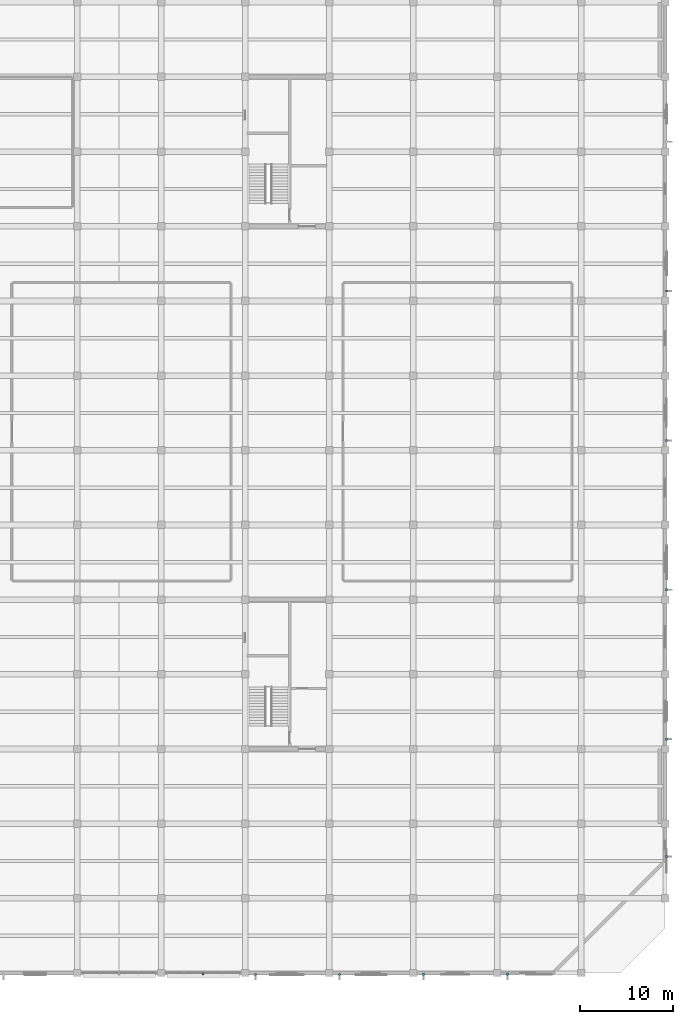
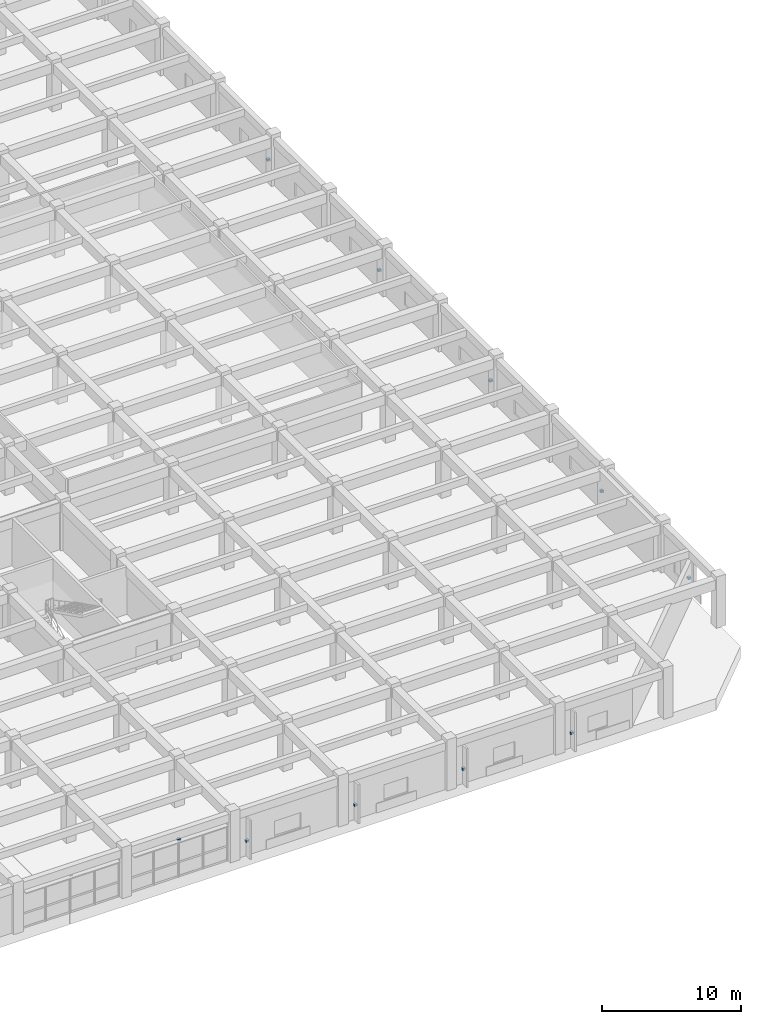
# One storey, part 40 of 50: 10 discrete accessories.
"""IFC4 building model written with IfcOpenShell, lengths in metres."""

from ifc_helpers import new_model, si_unit, direction, frame, origin, origin_2d, place, context, subcontext, project, spatial, rectangle, extrude, material, layer, layer_set, type_object, element, save


model = new_model("IFC4")

# Units and contexts
model_context = context("Model", 3, precision=1e-05, world=origin(), true_north=direction((0.0, 1.0)))
body_context = subcontext(model_context, "Body", "Model", "MODEL_VIEW")
ifc_project = project(units=[si_unit("LENGTHUNIT", "METRE"), si_unit("AREAUNIT", "SQUARE_METRE"), si_unit("VOLUMEUNIT", "CUBIC_METRE"), si_unit("PLANEANGLEUNIT", "RADIAN"), si_unit("MASSUNIT", "GRAM", prefix="KILO")], contexts=[model_context])

# Site, building, storey
site_placement = place(None, origin())
site = spatial("IfcSite", under=ifc_project, at=site_placement, CompositionType="ELEMENT")
building_placement = place(site_placement, origin())
building = spatial("IfcBuilding", under=site, at=building_placement, Name="Zaverband Oceanarium and Marine Research Institute", CompositionType="ELEMENT")
storey_placement = place(building_placement, frame((0.0, 0.0, 4.5)))
storey = spatial("IfcBuildingStorey", under=building, at=storey_placement, Name="L01", CompositionType="ELEMENT", Elevation=4.5)

# Discrete accessories
ifc_material = material(Name="Steel S355", Category="steel")
ifc_layer = layer(ifc_material, 0.179931640625, Name="Steel S355")
ifc_layer_set = layer_set([ifc_layer], Name="Steel S355")
discrete_accessory_type = type_object("IfcDiscreteAccessoryType", Name="BRK-STL-200", PredefinedType="BRACKET", material=ifc_layer_set)
for number, where, z_axis, x_axis, name in (
    (1, (130.5, -0.080078125, 3.22998046875), (0.0, 0.0, 1.0), (1.0, 0.0, 0.0), "Galvanized steel facade fin structural bracket BRK-STL-200"),
    (2, (136.10498046875, -0.169921875, 1.22021484375), (0.0, 0.0, 1.0), (1.0, 0.0, 0.0), "Galvanized steel facade fin structural bracket BRK-STL-200"),
    (3, (145.10498046875, -0.155029296875, 1.22021484375), (0.0, 0.0, 1.0), (1.0, 0.0, 0.0), "Galvanized steel facade fin structural bracket BRK-STL-200"),
    (4, (154.10498046875, -0.14501953125, 1.22021484375), (0.0, 0.0, 1.0), (1.0, 0.0, 0.0), "Galvanized steel facade fin structural bracket BRK-STL-200"),
    (5, (163.10498046875, -0.132568359375, 1.22021484375), (0.0, 0.0, 1.0), (1.0, 0.0, 0.0), "Galvanized steel facade fin structural bracket BRK-STL-200"),
    (6, (180.132568359375, 12.469970703125, 1.22021484375), (0.0, 0.0, 1.0), (1.0, 0.0, 0.0), "Galvanized steel facade fin structural bracket BRK-STL-200"),
    (7, (180.14501953125, 25.054931640625, 1.22021484375), (0.0, 0.0, 1.0), (1.0, 0.0, 0.0), "Galvanized steel facade fin structural bracket BRK-STL-200"),
    (8, (180.155029296875, 41.054931640625, 1.22021484375), (0.0, 0.0, 1.0), (1.0, 0.0, 0.0), "Galvanized steel facade fin structural bracket BRK-STL-200"),
    (9, (180.132568359375, 57.054931640625, 1.22021484375), (0.0, 0.0, 1.0), (1.0, 0.0, 0.0), "Galvanized steel facade fin structural bracket BRK-STL-200"),
    (10, (180.14501953125, 73.054931640625, 1.22021484375), (0.0, 0.0, 1.0), (1.0, 0.0, 0.0), "Galvanized steel facade fin structural bracket BRK-STL-200"),
):
    element("IfcDiscreteAccessory", number, at=place(storey_placement, frame(where, z_axis=z_axis, x_axis=x_axis)), inside=storey, type_object=discrete_accessory_type, Name=name, PredefinedType="BRACKET", context=body_context, shape_type="SweptSolid", body=[
        extrude(rectangle(XDim=0.239990234375, YDim=0.239990234375, at=origin_2d()), origin(), (0.0, 0.0, 1.0), 0.179931640625),
    ])

save(model, "model.ifc")
